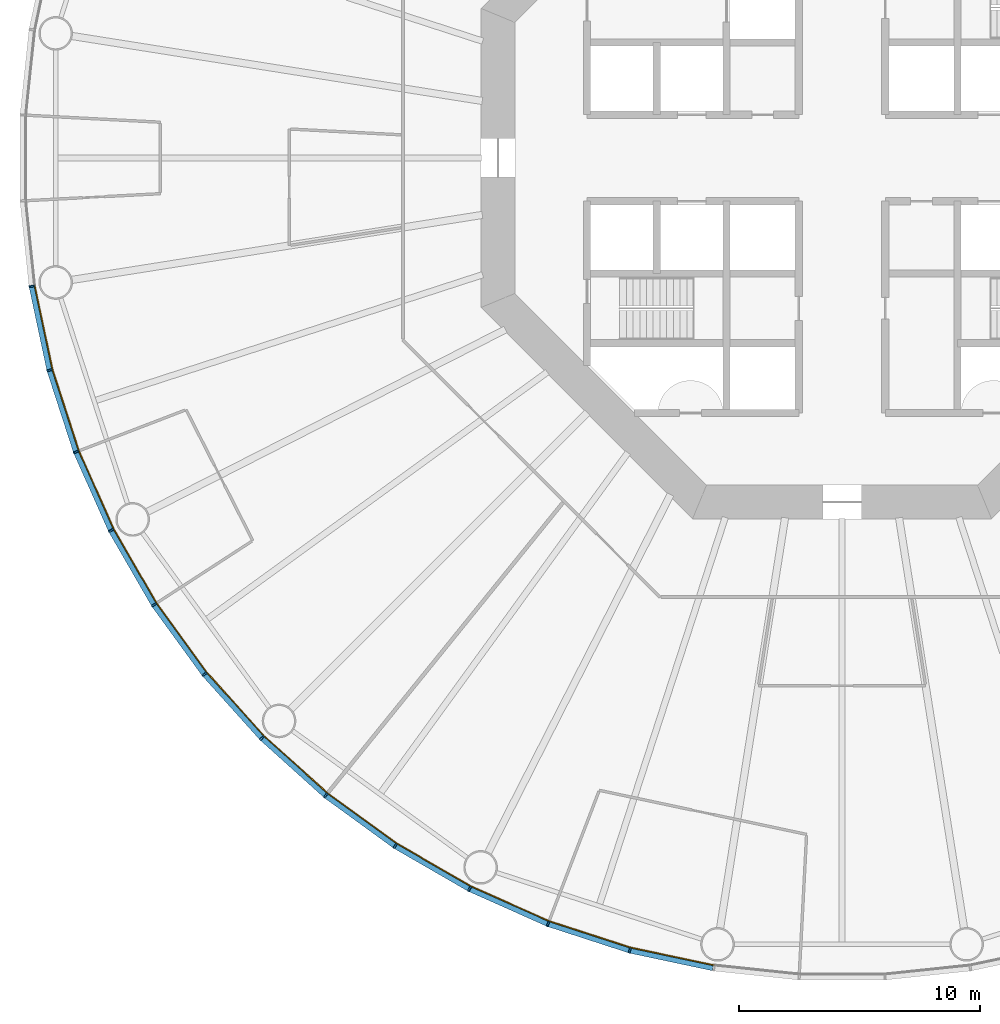
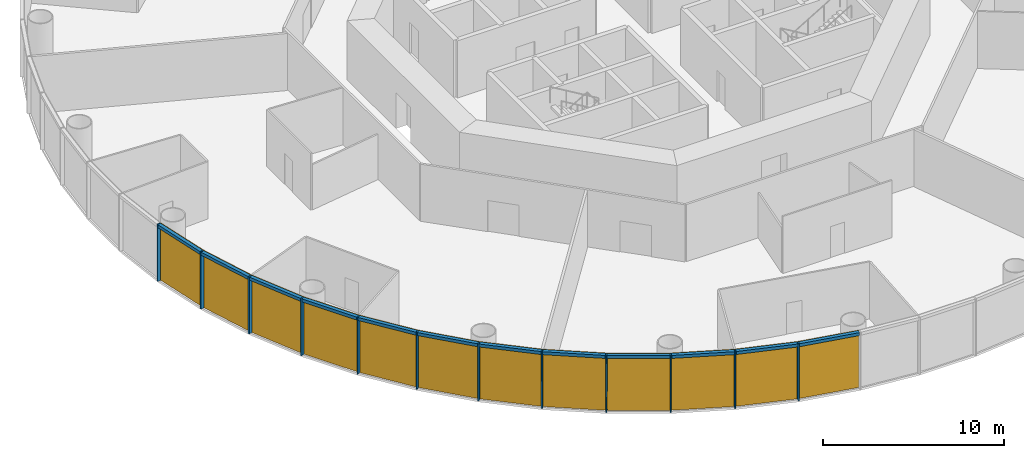
# One storey, part 7 of 13: 24 members, 4 curtain walls.
"""IFC4 building model written with IfcOpenShell, lengths in metres."""

from ifc_helpers import new_model, si_unit, direction, frame, origin, origin_2d, place, context, subcontext, project, spatial, polyline, rectangle, outline, extrude, material, layer, layer_set, material_profile, profile_set, type_object, element, aggregate, save


model = new_model("IFC4")

# Units and contexts
model_context = context("Model", 3, precision=1e-05, world=origin(), true_north=direction((0.0, 1.0)))
body_context = subcontext(model_context, "Body", "Model", "MODEL_VIEW")
ifc_project = project(units=[si_unit("LENGTHUNIT", "METRE"), si_unit("AREAUNIT", "SQUARE_METRE"), si_unit("VOLUMEUNIT", "CUBIC_METRE"), si_unit("PLANEANGLEUNIT", "RADIAN"), si_unit("MASSUNIT", "GRAM", prefix="KILO")], contexts=[model_context])

# Member
ifc_material_1 = material(Name="Anodised aluminium", Category="aluminium")
ifc_material_profile_1 = material_profile(ifc_material_1, rectangle(XDim=0.074951171875, YDim=0.219970703125, at=origin_2d()), Name="Mullion 75 x 220 mm anodised aluminium")
ifc_profile_set_1 = profile_set([ifc_material_profile_1], Name="Anodised aluminium")
member_type_1 = type_object("IfcMemberType", Name="Mullion 75 x 220 mm anodised aluminium", PredefinedType="MULLION", material=ifc_profile_set_1)
site_placement = place(None, origin())
building_placement = place(site_placement, origin())
storey_placement = place(building_placement, frame((0.0, 0.0, 62.0)))
member_1_placement = place(storey_placement, frame((56.31005859375, 74.6640625, 0.0), z_axis=(0.0, 0.0, 1.0), x_axis=(0.15643446504, -0.987688340595, 0.0)))
member_1 = element("IfcMember", 1, at=member_1_placement, type_object=member_type_1, Name="MULLION L13-30", PredefinedType="MULLION", context=body_context, shape_type="SweptSolid", body=[
    extrude(rectangle(XDim=0.074951171875, YDim=0.219970703125, at=origin_2d()), origin(), (0.0, 0.0, 1.0), 3.85009765625),
])

member_2_placement = place(storey_placement, frame((57.05224609375, 71.171630859375, 0.0), z_axis=(0.0, 0.0, 1.0), x_axis=(0.258819045103, -0.965925826289, 0.0)))
member_2 = element("IfcMember", 2, at=member_2_placement, type_object=member_type_1, Name="MULLION L13-31", PredefinedType="MULLION", context=body_context, shape_type="SweptSolid", body=[
    extrude(rectangle(XDim=0.074951171875, YDim=0.219970703125, at=origin_2d()), origin(), (0.0, 0.0, 1.0), 3.85009765625),
])

member_3_placement = place(storey_placement, frame((58.155517578125, 67.776123046875, 0.0), z_axis=(0.0, 0.0, 1.0), x_axis=(0.358367949545, -0.933580426497, 0.0)))
member_3 = element("IfcMember", 3, at=member_3_placement, type_object=member_type_1, Name="MULLION L13-32", PredefinedType="MULLION", context=body_context, shape_type="SweptSolid", body=[
    extrude(rectangle(XDim=0.074951171875, YDim=0.219970703125, at=origin_2d()), origin(), (0.0, 0.0, 1.0), 3.85009765625),
])

member_4_placement = place(storey_placement, frame((59.607666015625, 64.514404296875, 0.0), z_axis=(0.0, 0.0, 1.0), x_axis=(0.45399049974, -0.891006524188, 0.0)))
member_4 = element("IfcMember", 4, at=member_4_placement, type_object=member_type_1, Name="MULLION L13-33", PredefinedType="MULLION", context=body_context, shape_type="SweptSolid", body=[
    extrude(rectangle(XDim=0.074951171875, YDim=0.219970703125, at=origin_2d()), origin(), (0.0, 0.0, 1.0), 3.85009765625),
])

member_5_placement = place(storey_placement, frame((61.39306640625, 61.42236328125, 0.0), z_axis=(0.0, 0.0, 1.0), x_axis=(0.544639035015, -0.838670567945, 0.0)))
member_5 = element("IfcMember", 5, at=member_5_placement, type_object=member_type_1, Name="MULLION L13-34", PredefinedType="MULLION", context=body_context, shape_type="SweptSolid", body=[
    extrude(rectangle(XDim=0.074951171875, YDim=0.219970703125, at=origin_2d()), origin(), (0.0, 0.0, 1.0), 3.85009765625),
])

member_6_placement = place(storey_placement, frame((63.491455078125, 58.533935546875, 0.0), z_axis=(0.0, 0.0, 1.0), x_axis=(0.62932039105, -0.777145961457, 0.0)))
member_6 = element("IfcMember", 6, at=member_6_placement, type_object=member_type_1, Name="MULLION L13-35", PredefinedType="MULLION", context=body_context, shape_type="SweptSolid", body=[
    extrude(rectangle(XDim=0.074951171875, YDim=0.219970703125, at=origin_2d()), origin(), (0.0, 0.0, 1.0), 3.85009765625),
])

member_7_placement = place(storey_placement, frame((65.880615234375, 55.880615234375, 0.0), z_axis=(0.0, 0.0, 1.0), x_axis=(0.707106781187, -0.707106781187, 0.0)))
member_7 = element("IfcMember", 7, at=member_7_placement, type_object=member_type_1, Name="MULLION L13-36", PredefinedType="MULLION", context=body_context, shape_type="SweptSolid", body=[
    extrude(rectangle(XDim=0.074951171875, YDim=0.219970703125, at=origin_2d()), origin(), (0.0, 0.0, 1.0), 3.85009765625),
])

member_8_placement = place(storey_placement, frame((68.533935546875, 53.491455078125, 0.0), z_axis=(0.0, 0.0, 1.0), x_axis=(0.777145961457, -0.62932039105, 0.0)))
member_8 = element("IfcMember", 8, at=member_8_placement, type_object=member_type_1, Name="MULLION L13-37", PredefinedType="MULLION", context=body_context, shape_type="SweptSolid", body=[
    extrude(rectangle(XDim=0.074951171875, YDim=0.219970703125, at=origin_2d()), origin(), (0.0, 0.0, 1.0), 3.85009765625),
])

member_9_placement = place(storey_placement, frame((71.42236328125, 51.39306640625, 0.0), z_axis=(0.0, 0.0, 1.0), x_axis=(0.838670567945, -0.544639035015, 0.0)))
member_9 = element("IfcMember", 9, at=member_9_placement, type_object=member_type_1, Name="MULLION L13-38", PredefinedType="MULLION", context=body_context, shape_type="SweptSolid", body=[
    extrude(rectangle(XDim=0.074951171875, YDim=0.219970703125, at=origin_2d()), origin(), (0.0, 0.0, 1.0), 3.85009765625),
])

member_10_placement = place(storey_placement, frame((74.514404296875, 49.607666015625, 0.0), z_axis=(0.0, 0.0, 1.0), x_axis=(0.891006524188, -0.45399049974, 0.0)))
member_10 = element("IfcMember", 10, at=member_10_placement, type_object=member_type_1, Name="MULLION L13-39", PredefinedType="MULLION", context=body_context, shape_type="SweptSolid", body=[
    extrude(rectangle(XDim=0.074951171875, YDim=0.219970703125, at=origin_2d()), origin(), (0.0, 0.0, 1.0), 3.85009765625),
])

member_11_placement = place(storey_placement, frame((77.776123046875, 48.155517578125, 0.0), z_axis=(0.0, 0.0, 1.0), x_axis=(0.933580426497, -0.358367949545, 0.0)))
member_11 = element("IfcMember", 11, at=member_11_placement, type_object=member_type_1, Name="MULLION L13-40", PredefinedType="MULLION", context=body_context, shape_type="SweptSolid", body=[
    extrude(rectangle(XDim=0.074951171875, YDim=0.219970703125, at=origin_2d()), origin(), (0.0, 0.0, 1.0), 3.85009765625),
])

member_12_placement = place(storey_placement, frame((81.171630859375, 47.05224609375, 0.0), z_axis=(0.0, 0.0, 1.0), x_axis=(0.965925826289, -0.258819045103, 0.0)))
member_12 = element("IfcMember", 12, at=member_12_placement, type_object=member_type_1, Name="MULLION L13-41", PredefinedType="MULLION", context=body_context, shape_type="SweptSolid", body=[
    extrude(rectangle(XDim=0.074951171875, YDim=0.219970703125, at=origin_2d()), origin(), (0.0, 0.0, 1.0), 3.85009765625),
])

ifc_material_2 = material(Name="Anodised aluminium", Category="aluminium")
ifc_material_profile_2 = material_profile(ifc_material_2, rectangle(XDim=0.219970703125, YDim=0.199951171875, at=origin_2d()), Name="Transom 200 x 220 mm anodised aluminium")
ifc_profile_set_2 = profile_set([ifc_material_profile_2], Name="Anodised aluminium")
member_type_2 = type_object("IfcMemberType", Name="Transom 200 x 220 mm anodised aluminium", PredefinedType="USERDEFINED", material=ifc_profile_set_2)
member_13_placement = place(storey_placement, frame((56.31884765625, 74.62158203125, 3.75), z_axis=(0.207920776701, -0.978145669426, 0.0), x_axis=(0.978145669426, 0.207920776701, 0.0)))
member_13 = element("IfcMember", 13, at=member_13_placement, type_object=member_type_2, Name="TRANSOM L13-30", ObjectType="TRANSOM", PredefinedType="USERDEFINED", context=body_context, shape_type="SweptSolid", body=[
    extrude(rectangle(XDim=0.219970703125, YDim=0.199951171875, at=origin_2d()), origin(), (0.0, 0.0, 1.0), 3.48388671875),
])

member_14_placement = place(storey_placement, frame((57.0654296875, 71.130615234375, 3.75), z_axis=(0.309029029702, -0.951052605696, 0.0), x_axis=(0.951052605696, 0.309029029702, 0.0)))
member_14 = element("IfcMember", 14, at=member_14_placement, type_object=member_type_2, Name="TRANSOM L13-31", ObjectType="TRANSOM", PredefinedType="USERDEFINED", context=body_context, shape_type="SweptSolid", body=[
    extrude(rectangle(XDim=0.219970703125, YDim=0.199951171875, at=origin_2d()), origin(), (0.0, 0.0, 1.0), 3.484130859375),
])

member_15_placement = place(storey_placement, frame((58.173095703125, 67.736572265625, 3.75), z_axis=(0.406736576304, -0.913545487371, 0.0), x_axis=(0.913545487371, 0.406736576304, 0.0)))
member_15 = element("IfcMember", 15, at=member_15_placement, type_object=member_type_2, Name="TRANSOM L13-32", ObjectType="TRANSOM", PredefinedType="USERDEFINED", context=body_context, shape_type="SweptSolid", body=[
    extrude(rectangle(XDim=0.219970703125, YDim=0.199951171875, at=origin_2d()), origin(), (0.0, 0.0, 1.0), 3.48388671875),
])

member_16_placement = place(storey_placement, frame((59.629150390625, 64.476806640625, 3.75), z_axis=(0.500005538244, -0.866022206254, 0.0), x_axis=(0.866022206254, 0.500005538244, 0.0)))
member_16 = element("IfcMember", 16, at=member_16_placement, type_object=member_type_2, Name="TRANSOM L13-33", ObjectType="TRANSOM", PredefinedType="USERDEFINED", context=body_context, shape_type="SweptSolid", body=[
    extrude(rectangle(XDim=0.219970703125, YDim=0.199951171875, at=origin_2d()), origin(), (0.0, 0.0, 1.0), 3.48388671875),
])

member_17_placement = place(storey_placement, frame((61.418212890625, 61.38720703125, 3.75), z_axis=(0.587821627006, -0.80899056535, 0.0), x_axis=(0.80899056535, 0.587821627006, 0.0)))
member_17 = element("IfcMember", 17, at=member_17_placement, type_object=member_type_2, Name="TRANSOM L13-34", ObjectType="TRANSOM", PredefinedType="USERDEFINED", context=body_context, shape_type="SweptSolid", body=[
    extrude(rectangle(XDim=0.219970703125, YDim=0.199951171875, at=origin_2d()), origin(), (0.0, 0.0, 1.0), 3.48388671875),
])

member_18_placement = place(storey_placement, frame((63.520263671875, 58.501708984375, 3.75), z_axis=(0.669138930974, -0.743137329876, 0.0), x_axis=(0.743137329876, 0.669138930974, 0.0)))
member_18 = element("IfcMember", 18, at=member_18_placement, type_object=member_type_2, Name="TRANSOM L13-35", ObjectType="TRANSOM", PredefinedType="USERDEFINED", context=body_context, shape_type="SweptSolid", body=[
    extrude(rectangle(XDim=0.219970703125, YDim=0.199951171875, at=origin_2d()), origin(), (0.0, 0.0, 1.0), 3.484130859375),
])

member_19_placement = place(storey_placement, frame((65.91259765625, 55.8515625, 3.75), z_axis=(0.743137329876, -0.669138930974, 0.0), x_axis=(0.669138930974, 0.743137329876, 0.0)))
member_19 = element("IfcMember", 19, at=member_19_placement, type_object=member_type_2, Name="TRANSOM L13-36", ObjectType="TRANSOM", PredefinedType="USERDEFINED", context=body_context, shape_type="SweptSolid", body=[
    extrude(rectangle(XDim=0.219970703125, YDim=0.199951171875, at=origin_2d()), origin(), (0.0, 0.0, 1.0), 3.484130859375),
])

member_20_placement = place(storey_placement, frame((68.56884765625, 53.466064453125, 3.75), z_axis=(0.80899056535, -0.587821627006, 0.0), x_axis=(0.587821627006, 0.80899056535, 0.0)))
member_20 = element("IfcMember", 20, at=member_20_placement, type_object=member_type_2, Name="TRANSOM L13-37", ObjectType="TRANSOM", PredefinedType="USERDEFINED", context=body_context, shape_type="SweptSolid", body=[
    extrude(rectangle(XDim=0.219970703125, YDim=0.199951171875, at=origin_2d()), origin(), (0.0, 0.0, 1.0), 3.48388671875),
])

member_21_placement = place(storey_placement, frame((71.459716796875, 51.37109375, 3.75), z_axis=(0.866022206254, -0.500005538244, 0.0), x_axis=(0.500005538244, 0.866022206254, 0.0)))
member_21 = element("IfcMember", 21, at=member_21_placement, type_object=member_type_2, Name="TRANSOM L13-38", ObjectType="TRANSOM", PredefinedType="USERDEFINED", context=body_context, shape_type="SweptSolid", body=[
    extrude(rectangle(XDim=0.219970703125, YDim=0.199951171875, at=origin_2d()), origin(), (0.0, 0.0, 1.0), 3.48388671875),
])

member_22_placement = place(storey_placement, frame((74.553955078125, 49.590087890625, 3.75), z_axis=(0.913545487371, -0.406736576304, 0.0), x_axis=(0.406736576304, 0.913545487371, 0.0)))
member_22 = element("IfcMember", 22, at=member_22_placement, type_object=member_type_2, Name="TRANSOM L13-39", ObjectType="TRANSOM", PredefinedType="USERDEFINED", context=body_context, shape_type="SweptSolid", body=[
    extrude(rectangle(XDim=0.219970703125, YDim=0.199951171875, at=origin_2d()), origin(), (0.0, 0.0, 1.0), 3.48388671875),
])

member_23_placement = place(storey_placement, frame((77.817138671875, 48.14208984375, 3.75), z_axis=(0.951052605696, -0.309029029702, 0.0), x_axis=(0.309029029702, 0.951052605696, 0.0)))
member_23 = element("IfcMember", 23, at=member_23_placement, type_object=member_type_2, Name="TRANSOM L13-40", ObjectType="TRANSOM", PredefinedType="USERDEFINED", context=body_context, shape_type="SweptSolid", body=[
    extrude(rectangle(XDim=0.219970703125, YDim=0.199951171875, at=origin_2d()), origin(), (0.0, 0.0, 1.0), 3.484130859375),
])

member_24_placement = place(storey_placement, frame((81.2138671875, 47.043212890625, 3.75), z_axis=(0.978145669426, -0.207920776701, 0.0), x_axis=(0.207920776701, 0.978145669426, 0.0)))
member_24 = element("IfcMember", 24, at=member_24_placement, type_object=member_type_2, Name="TRANSOM L13-41", ObjectType="TRANSOM", PredefinedType="USERDEFINED", context=body_context, shape_type="SweptSolid", body=[
    extrude(rectangle(XDim=0.219970703125, YDim=0.199951171875, at=origin_2d()), origin(), (0.0, 0.0, 1.0), 3.48388671875),
])

# Site, building, storey
site = spatial("IfcSite", under=ifc_project, at=site_placement, CompositionType="ELEMENT")
building = spatial("IfcBuilding", under=site, at=building_placement, Name="Entoto Ring Tower", CompositionType="ELEMENT")
storey = spatial("IfcBuildingStorey", under=building, at=storey_placement, Name="L13", CompositionType="ELEMENT", Elevation=62.0)

# Curtain wall
ifc_material_3 = material(Name="Clear low-iron glass", Category="glass")
ifc_layer = layer(ifc_material_3, 0.0400390625)
ifc_layer_set = layer_set([ifc_layer], Name="Clear low-iron glass")
curtain_wall_type = type_object("IfcCurtainWallType", Name="Curtain wall system CW1 glazing 40 mm", PredefinedType="NOTDEFINED", material=ifc_layer_set)
curtain_wall_1_placement = place(storey_placement, origin())
curtain_wall_1 = element("IfcCurtainWall", 25, at=curtain_wall_1_placement, inside=storey, type_object=curtain_wall_type, Name="CW1 L13-11", PredefinedType="NOTDEFINED", context=body_context, shape_type="SweptSolid", body=[
    extrude(outline(polyline([(56.418701171875, 74.68115234375), (57.158447265625, 71.2001953125), (58.25830078125, 67.8154296875), (59.705810546875, 64.564208984375), (59.741455078125, 64.58251953125), (58.295654296875, 67.829833984375), (57.197265625, 71.21044921875), (56.458251953125, 74.6875), (56.418701171875, 74.68115234375)])), origin(), (0.0, 0.0, 1.0), 3.85009765625),
])

aggregate(curtain_wall_1, [member_1, member_2, member_3, member_13, member_14, member_15])

curtain_wall_2_placement = place(storey_placement, origin())
curtain_wall_2 = element("IfcCurtainWall", 26, at=curtain_wall_2_placement, inside=storey, type_object=curtain_wall_type, Name="CW1 L13-12", PredefinedType="NOTDEFINED", context=body_context, shape_type="SweptSolid", body=[
    extrude(outline(polyline([(59.705810546875, 64.564208984375), (61.485107421875, 61.482177734375), (63.5771484375, 58.60302734375), (65.958251953125, 55.958251953125), (65.986572265625, 55.986572265625), (63.608154296875, 58.62841796875), (61.518798828125, 61.504150390625), (59.741455078125, 64.58251953125), (59.705810546875, 64.564208984375)])), origin(), (0.0, 0.0, 1.0), 3.85009765625),
])

aggregate(curtain_wall_2, [member_4, member_5, member_6, member_16, member_17, member_18])

curtain_wall_3_placement = place(storey_placement, origin())
curtain_wall_3 = element("IfcCurtainWall", 27, at=curtain_wall_3_placement, inside=storey, type_object=curtain_wall_type, Name="CW1 L13-13", PredefinedType="NOTDEFINED", context=body_context, shape_type="SweptSolid", body=[
    extrude(outline(polyline([(65.958251953125, 55.958251953125), (68.60302734375, 53.5771484375), (71.482177734375, 51.485107421875), (74.564208984375, 49.705810546875), (74.58251953125, 49.741455078125), (71.504150390625, 51.518798828125), (68.62841796875, 53.608154296875), (65.986572265625, 55.986572265625), (65.958251953125, 55.958251953125)])), origin(), (0.0, 0.0, 1.0), 3.85009765625),
])

aggregate(curtain_wall_3, [member_7, member_8, member_9, member_19, member_20, member_21])

curtain_wall_4_placement = place(storey_placement, origin())
curtain_wall_4 = element("IfcCurtainWall", 28, at=curtain_wall_4_placement, inside=storey, type_object=curtain_wall_type, Name="CW1 L13-14", PredefinedType="NOTDEFINED", context=body_context, shape_type="SweptSolid", body=[
    extrude(outline(polyline([(74.564208984375, 49.705810546875), (77.8154296875, 48.25830078125), (81.2001953125, 47.158447265625), (84.68115234375, 46.418701171875), (84.6875, 46.458251953125), (81.21044921875, 47.197265625), (77.829833984375, 48.295654296875), (74.58251953125, 49.741455078125), (74.564208984375, 49.705810546875)])), origin(), (0.0, 0.0, 1.0), 3.85009765625),
])

aggregate(curtain_wall_4, [member_10, member_11, member_12, member_22, member_23, member_24])

save(model, "model.ifc")
